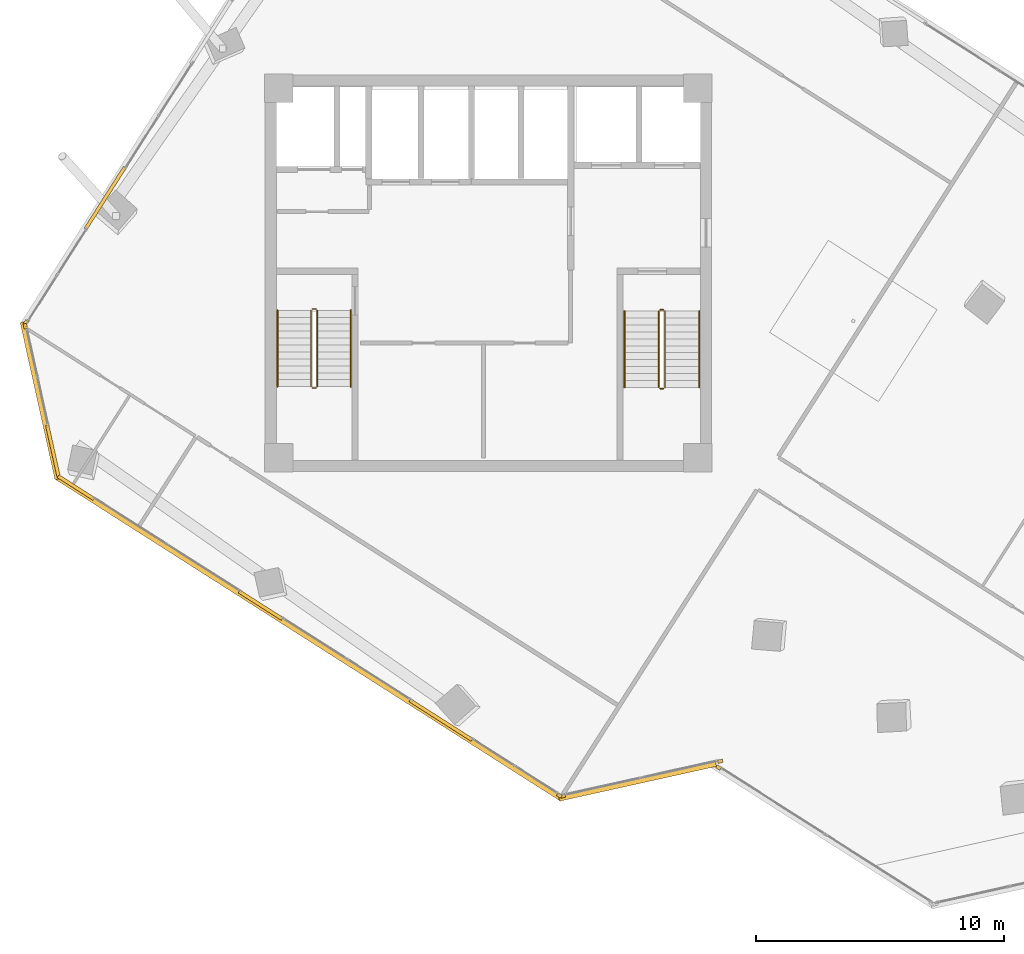
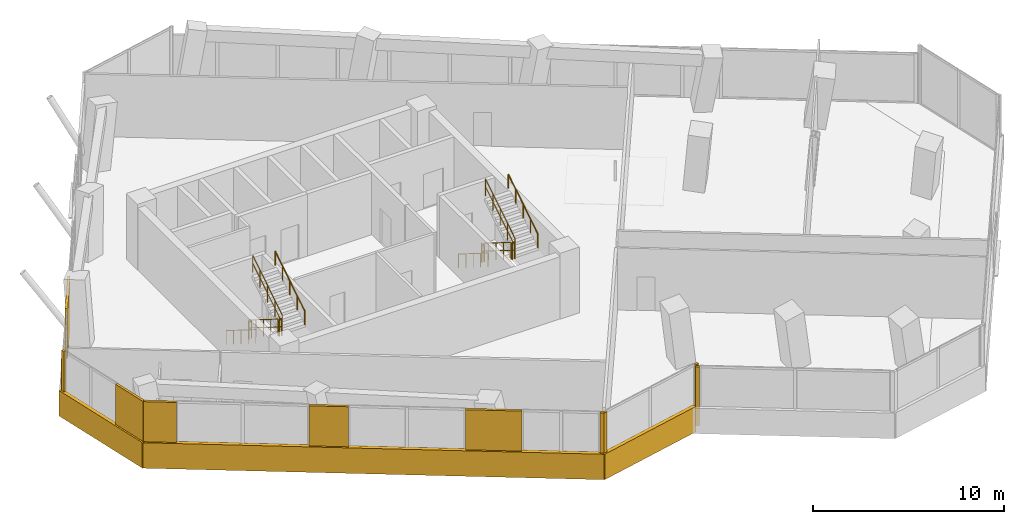
# One storey, part 22 of 24: 14 coverings, 12 railings.
"""IFC4 building model written with IfcOpenShell, lengths in metres."""

from ifc_helpers import new_model, si_unit, direction, frame, origin, origin_2d, place, context, subcontext, project, spatial, rectangle, circle, extrude, source, transform, mapped, material, layer, layer_set, type_object, element, save


model = new_model("IFC4")

# Units and contexts
model_context = context("Model", 3, precision=1e-05, world=origin(), true_north=direction((0.0, 1.0)))
body_context = subcontext(model_context, "Body", "Model", "MODEL_VIEW")
ifc_project = project(units=[si_unit("LENGTHUNIT", "METRE"), si_unit("AREAUNIT", "SQUARE_METRE"), si_unit("VOLUMEUNIT", "CUBIC_METRE"), si_unit("PLANEANGLEUNIT", "RADIAN"), si_unit("MASSUNIT", "GRAM", prefix="KILO")], contexts=[model_context])

# Site, building, storey
site_placement = place(None, origin())
site = spatial("IfcSite", under=ifc_project, at=site_placement, CompositionType="ELEMENT")
building_placement = place(site_placement, origin())
building = spatial("IfcBuilding", under=site, at=building_placement, Name="Torre Montelarca", CompositionType="ELEMENT")
storey_placement = place(building_placement, frame((0.0, 0.0, 191.800048828125)))
storey = spatial("IfcBuildingStorey", under=building, at=storey_placement, Name="L43", CompositionType="ELEMENT", Elevation=191.800048828125)

# Railings
ifc_material_1 = material(Name="Powder-coated steel ASTM A500 Grade C", Category="steel")
railing_type_1 = type_object("IfcRailingType", Name="RL-GUARD-1100", PredefinedType="BALUSTRADE", material=ifc_material_1)
railing_1_placement = place(storey_placement, frame((10.85009765625, 30.5, 0.175048828125)))
element("IfcRailing", 1, at=railing_1_placement, inside=storey, type_object=railing_type_1, Name="L43 ST1 stair guard 1", PredefinedType="BALUSTRADE", context=body_context, shape_type="SweptSolid", body=[
    extrude(circle(Radius=0.02392578125, at=origin_2d()), frame((0.0, 0.0, 1.076171875), z_axis=(0.0, -0.848028513186, 0.529950602248), x_axis=(1.0, 0.0, 0.0)), (0.0, 0.0, 1.0), 3.632080078125),
    extrude(circle(Radius=0.02099609375, at=origin_2d()), frame((0.0, 0.0, 0.572021484375), z_axis=(0.0, -0.848028513186, 0.529950602248), x_axis=(1.0, 0.0, 0.0)), (0.0, 0.0, 1.0), 3.632080078125),
    extrude(circle(Radius=0.02099609375, at=origin_2d()), origin(), (0.0, 0.0, 1.0), 1.052001953125),
    extrude(circle(Radius=0.02099609375, at=origin_2d()), frame((0.0, -0.77001953125, 0.481201171875)), (0.0, 0.0, 1.0), 1.052001953125),
    extrude(circle(Radius=0.02099609375, at=origin_2d()), frame((0.0, -1.5400390625, 0.96240234375)), (0.0, 0.0, 1.0), 1.052001953125),
    extrude(circle(Radius=0.02099609375, at=origin_2d()), frame((0.0, -2.31005859375, 1.443603515625)), (0.0, 0.0, 1.0), 1.052001953125),
    extrude(circle(Radius=0.02099609375, at=origin_2d()), frame((0.0, -3.080078125, 1.9248046875)), (0.0, 0.0, 1.0), 1.052001953125),
])
railing_2_placement = place(storey_placement, frame((10.89990234375, 27.3701171875, 2.099853515625)))
element("IfcRailing", 2, at=railing_2_placement, inside=storey, type_object=railing_type_1, Name="L43 ST1 stair guard 2", PredefinedType="BALUSTRADE", context=body_context, shape_type="SweptSolid", body=[
    extrude(circle(Radius=0.02392578125, at=origin_2d()), frame((0.0, 0.0, 1.076171875), z_axis=(1.0, 0.0, 0.0), x_axis=(0.0, 1.0, 0.0)), (0.0, 0.0, 1.0), 0.150146484375),
    extrude(circle(Radius=0.02099609375, at=origin_2d()), frame((0.0, 0.0, 0.572021484375), z_axis=(1.0, 0.0, 0.0), x_axis=(0.0, 1.0, 0.0)), (0.0, 0.0, 1.0), 0.150146484375),
    extrude(circle(Radius=0.02099609375, at=origin_2d()), origin(), (0.0, 0.0, 1.0), 1.052001953125),
    extrude(circle(Radius=0.02099609375, at=origin_2d()), frame((0.150146484375, 0.0, 0.0)), (0.0, 0.0, 1.0), 1.052001953125),
])
railing_3_placement = place(storey_placement, frame((11.10009765625, 27.419921875, 2.27490234375)))
element("IfcRailing", 3, at=railing_3_placement, inside=storey, type_object=railing_type_1, Name="L43 ST1 stair guard 3", PredefinedType="BALUSTRADE", context=body_context, shape_type="SweptSolid", body=[
    extrude(circle(Radius=0.02392578125, at=origin_2d()), frame((0.0, 0.0, 1.076171875), z_axis=(0.0, 0.847998304005, 0.529998940003), x_axis=(-1.0, 0.0, 0.0)), (0.0, 0.0, 1.0), 3.632080078125),
    extrude(circle(Radius=0.02099609375, at=origin_2d()), frame((0.0, 0.0, 0.572021484375), z_axis=(0.0, 0.847998304005, 0.529998940003), x_axis=(-1.0, 0.0, 0.0)), (0.0, 0.0, 1.0), 3.632080078125),
    extrude(circle(Radius=0.02099609375, at=origin_2d()), origin(), (0.0, 0.0, 1.0), 1.052001953125),
    extrude(circle(Radius=0.02099609375, at=origin_2d()), frame((0.0, 0.77001953125, 0.481201171875)), (0.0, 0.0, 1.0), 1.052001953125),
    extrude(circle(Radius=0.02099609375, at=origin_2d()), frame((0.0, 1.5400390625, 0.96240234375)), (0.0, 0.0, 1.0), 1.052001953125),
    extrude(circle(Radius=0.02099609375, at=origin_2d()), frame((0.0, 2.31005859375, 1.44384765625)), (0.0, 0.0, 1.0), 1.052001953125),
    extrude(circle(Radius=0.02099609375, at=origin_2d()), frame((0.0, 3.080078125, 1.925048828125)), (0.0, 0.0, 1.0), 1.052001953125),
])
railing_4_placement = place(storey_placement, frame((10.89990234375, 30.550048828125, 0.0)))
element("IfcRailing", 4, at=railing_4_placement, inside=storey, type_object=railing_type_1, Name="L43 ST1 stair guard 4", PredefinedType="BALUSTRADE", context=body_context, shape_type="SweptSolid", body=[
    extrude(circle(Radius=0.02392578125, at=origin_2d()), frame((0.0, 0.0, 1.076171875), z_axis=(1.0, 0.0, 0.0), x_axis=(0.0, 1.0, 0.0)), (0.0, 0.0, 1.0), 0.150146484375),
    extrude(circle(Radius=0.02099609375, at=origin_2d()), frame((0.0, 0.0, 0.572021484375), z_axis=(1.0, 0.0, 0.0), x_axis=(0.0, 1.0, 0.0)), (0.0, 0.0, 1.0), 0.150146484375),
    extrude(circle(Radius=0.02099609375, at=origin_2d()), origin(), (0.0, 0.0, 1.0), 1.052001953125),
    extrude(circle(Radius=0.02099609375, at=origin_2d()), frame((0.150146484375, 0.0, 0.0)), (0.0, 0.0, 1.0), 1.052001953125),
])
railing_5_placement = place(storey_placement, frame((24.8701171875, 30.469970703125, 0.175048828125)))
element("IfcRailing", 5, at=railing_5_placement, inside=storey, type_object=railing_type_1, Name="L43 ST2 stair guard 1", PredefinedType="BALUSTRADE", context=body_context, shape_type="SweptSolid", body=[
    extrude(circle(Radius=0.02392578125, at=origin_2d()), frame((0.0, 0.0, 1.076171875), z_axis=(0.0, -0.848028513186, 0.529950602248), x_axis=(1.0, 0.0, 0.0)), (0.0, 0.0, 1.0), 3.632080078125),
    extrude(circle(Radius=0.02099609375, at=origin_2d()), frame((0.0, 0.0, 0.572021484375), z_axis=(0.0, -0.848028513186, 0.529950602248), x_axis=(1.0, 0.0, 0.0)), (0.0, 0.0, 1.0), 3.632080078125),
    extrude(circle(Radius=0.02099609375, at=origin_2d()), origin(), (0.0, 0.0, 1.0), 1.052001953125),
    extrude(circle(Radius=0.02099609375, at=origin_2d()), frame((0.0, -0.77001953125, 0.481201171875)), (0.0, 0.0, 1.0), 1.052001953125),
    extrude(circle(Radius=0.02099609375, at=origin_2d()), frame((0.0, -1.5400390625, 0.96240234375)), (0.0, 0.0, 1.0), 1.052001953125),
    extrude(circle(Radius=0.02099609375, at=origin_2d()), frame((0.0, -2.31005859375, 1.443603515625)), (0.0, 0.0, 1.0), 1.052001953125),
    extrude(circle(Radius=0.02099609375, at=origin_2d()), frame((0.0, -3.080078125, 1.9248046875)), (0.0, 0.0, 1.0), 1.052001953125),
])
railing_6_placement = place(storey_placement, frame((24.919921875, 27.340087890625, 2.099853515625)))
element("IfcRailing", 6, at=railing_6_placement, inside=storey, type_object=railing_type_1, Name="L43 ST2 stair guard 2", PredefinedType="BALUSTRADE", context=body_context, shape_type="SweptSolid", body=[
    extrude(circle(Radius=0.02392578125, at=origin_2d()), frame((0.0, 0.0, 1.076171875), z_axis=(1.0, 0.0, 0.0), x_axis=(0.0, 1.0, 0.0)), (0.0, 0.0, 1.0), 0.150146484375),
    extrude(circle(Radius=0.02099609375, at=origin_2d()), frame((0.0, 0.0, 0.572021484375), z_axis=(1.0, 0.0, 0.0), x_axis=(0.0, 1.0, 0.0)), (0.0, 0.0, 1.0), 0.150146484375),
    extrude(circle(Radius=0.02099609375, at=origin_2d()), origin(), (0.0, 0.0, 1.0), 1.052001953125),
    extrude(circle(Radius=0.02099609375, at=origin_2d()), frame((0.150146484375, 0.0, 0.0)), (0.0, 0.0, 1.0), 1.052001953125),
])
railing_7_placement = place(storey_placement, frame((25.1201171875, 27.389892578125, 2.27490234375)))
element("IfcRailing", 7, at=railing_7_placement, inside=storey, type_object=railing_type_1, Name="L43 ST2 stair guard 3", PredefinedType="BALUSTRADE", context=body_context, shape_type="SweptSolid", body=[
    extrude(circle(Radius=0.02392578125, at=origin_2d()), frame((0.0, 0.0, 1.076171875), z_axis=(0.0, 0.847998304005, 0.529998940003), x_axis=(-1.0, 0.0, 0.0)), (0.0, 0.0, 1.0), 3.632080078125),
    extrude(circle(Radius=0.02099609375, at=origin_2d()), frame((0.0, 0.0, 0.572021484375), z_axis=(0.0, 0.847998304005, 0.529998940003), x_axis=(-1.0, 0.0, 0.0)), (0.0, 0.0, 1.0), 3.632080078125),
    extrude(circle(Radius=0.02099609375, at=origin_2d()), origin(), (0.0, 0.0, 1.0), 1.052001953125),
    extrude(circle(Radius=0.02099609375, at=origin_2d()), frame((0.0, 0.77001953125, 0.481201171875)), (0.0, 0.0, 1.0), 1.052001953125),
    extrude(circle(Radius=0.02099609375, at=origin_2d()), frame((0.0, 1.5400390625, 0.96240234375)), (0.0, 0.0, 1.0), 1.052001953125),
    extrude(circle(Radius=0.02099609375, at=origin_2d()), frame((0.0, 2.31005859375, 1.44384765625)), (0.0, 0.0, 1.0), 1.052001953125),
    extrude(circle(Radius=0.02099609375, at=origin_2d()), frame((0.0, 3.080078125, 1.925048828125)), (0.0, 0.0, 1.0), 1.052001953125),
])
railing_8_placement = place(storey_placement, frame((24.919921875, 30.52001953125, 0.0)))
element("IfcRailing", 8, at=railing_8_placement, inside=storey, type_object=railing_type_1, Name="L43 ST2 stair guard 4", PredefinedType="BALUSTRADE", context=body_context, shape_type="SweptSolid", body=[
    extrude(circle(Radius=0.02392578125, at=origin_2d()), frame((0.0, 0.0, 1.076171875), z_axis=(1.0, 0.0, 0.0), x_axis=(0.0, 1.0, 0.0)), (0.0, 0.0, 1.0), 0.150146484375),
    extrude(circle(Radius=0.02099609375, at=origin_2d()), frame((0.0, 0.0, 0.572021484375), z_axis=(1.0, 0.0, 0.0), x_axis=(0.0, 1.0, 0.0)), (0.0, 0.0, 1.0), 0.150146484375),
    extrude(circle(Radius=0.02099609375, at=origin_2d()), origin(), (0.0, 0.0, 1.0), 1.052001953125),
    extrude(circle(Radius=0.02099609375, at=origin_2d()), frame((0.150146484375, 0.0, 0.0)), (0.0, 0.0, 1.0), 1.052001953125),
])
ifc_material_2 = material(Name="Brushed stainless steel AISI 316", Category="steel")
railing_type_2 = type_object("IfcRailingType", Name="RL-HANDRAIL-900", PredefinedType="HANDRAIL", material=ifc_material_2)
railing_9_placement = place(storey_placement, frame((9.5, 30.5, 0.175048828125)))
element("IfcRailing", 9, at=railing_9_placement, inside=storey, type_object=railing_type_2, Name="L43 ST1 stair handrail 1", PredefinedType="HANDRAIL", context=body_context, shape_type="SweptSolid", body=[
    extrude(circle(Radius=0.02392578125, at=origin_2d()), frame((0.0, 0.0, 0.8759765625), z_axis=(0.0, -0.848028513186, 0.529950602248), x_axis=(1.0, 0.0, 0.0)), (0.0, 0.0, 1.0), 3.632080078125),
    extrude(circle(Radius=0.02099609375, at=origin_2d()), origin(), (0.0, 0.0, 1.0), 0.851806640625),
    extrude(circle(Radius=0.02099609375, at=origin_2d()), frame((0.0, -0.77001953125, 0.481201171875)), (0.0, 0.0, 1.0), 0.851806640625),
    extrude(circle(Radius=0.02099609375, at=origin_2d()), frame((0.0, -1.5400390625, 0.96240234375)), (0.0, 0.0, 1.0), 0.851806640625),
    extrude(circle(Radius=0.02099609375, at=origin_2d()), frame((0.0, -2.31005859375, 1.443603515625)), (0.0, 0.0, 1.0), 0.851806640625),
    extrude(circle(Radius=0.02099609375, at=origin_2d()), frame((0.0, -3.080078125, 1.9248046875)), (0.0, 0.0, 1.0), 0.851806640625),
])
railing_10_placement = place(storey_placement, frame((12.449951171875, 27.419921875, 2.27490234375)))
element("IfcRailing", 10, at=railing_10_placement, inside=storey, type_object=railing_type_2, Name="L43 ST1 stair handrail 2", PredefinedType="HANDRAIL", context=body_context, shape_type="SweptSolid", body=[
    extrude(circle(Radius=0.02392578125, at=origin_2d()), frame((0.0, 0.0, 0.8759765625), z_axis=(0.0, 0.847998304005, 0.529998940003), x_axis=(-1.0, 0.0, 0.0)), (0.0, 0.0, 1.0), 3.632080078125),
    extrude(circle(Radius=0.02099609375, at=origin_2d()), origin(), (0.0, 0.0, 1.0), 0.851806640625),
    extrude(circle(Radius=0.02099609375, at=origin_2d()), frame((0.0, 0.77001953125, 0.481201171875)), (0.0, 0.0, 1.0), 0.851806640625),
    extrude(circle(Radius=0.02099609375, at=origin_2d()), frame((0.0, 1.5400390625, 0.96240234375)), (0.0, 0.0, 1.0), 0.851806640625),
    extrude(circle(Radius=0.02099609375, at=origin_2d()), frame((0.0, 2.31005859375, 1.44384765625)), (0.0, 0.0, 1.0), 0.851806640625),
    extrude(circle(Radius=0.02099609375, at=origin_2d()), frame((0.0, 3.080078125, 1.925048828125)), (0.0, 0.0, 1.0), 0.851806640625),
])
railing_11_placement = place(storey_placement, frame((23.489990234375, 30.469970703125, 0.175048828125)))
element("IfcRailing", 11, at=railing_11_placement, inside=storey, type_object=railing_type_2, Name="L43 ST2 stair handrail 1", PredefinedType="HANDRAIL", context=body_context, shape_type="SweptSolid", body=[
    extrude(circle(Radius=0.02392578125, at=origin_2d()), frame((0.0, 0.0, 0.8759765625), z_axis=(0.0, -0.848028513186, 0.529950602248), x_axis=(1.0, 0.0, 0.0)), (0.0, 0.0, 1.0), 3.632080078125),
    extrude(circle(Radius=0.02099609375, at=origin_2d()), origin(), (0.0, 0.0, 1.0), 0.851806640625),
    extrude(circle(Radius=0.02099609375, at=origin_2d()), frame((0.0, -0.77001953125, 0.481201171875)), (0.0, 0.0, 1.0), 0.851806640625),
    extrude(circle(Radius=0.02099609375, at=origin_2d()), frame((0.0, -1.5400390625, 0.96240234375)), (0.0, 0.0, 1.0), 0.851806640625),
    extrude(circle(Radius=0.02099609375, at=origin_2d()), frame((0.0, -2.31005859375, 1.443603515625)), (0.0, 0.0, 1.0), 0.851806640625),
    extrude(circle(Radius=0.02099609375, at=origin_2d()), frame((0.0, -3.080078125, 1.9248046875)), (0.0, 0.0, 1.0), 0.851806640625),
])
railing_12_placement = place(storey_placement, frame((26.5, 27.389892578125, 2.27490234375)))
element("IfcRailing", 12, at=railing_12_placement, inside=storey, type_object=railing_type_2, Name="L43 ST2 stair handrail 2", PredefinedType="HANDRAIL", context=body_context, shape_type="SweptSolid", body=[
    extrude(circle(Radius=0.02392578125, at=origin_2d()), frame((0.0, 0.0, 0.8759765625), z_axis=(0.0, 0.847998304005, 0.529998940003), x_axis=(-1.0, 0.0, 0.0)), (0.0, 0.0, 1.0), 3.632080078125),
    extrude(circle(Radius=0.02099609375, at=origin_2d()), origin(), (0.0, 0.0, 1.0), 0.851806640625),
    extrude(circle(Radius=0.02099609375, at=origin_2d()), frame((0.0, 0.77001953125, 0.481201171875)), (0.0, 0.0, 1.0), 0.851806640625),
    extrude(circle(Radius=0.02099609375, at=origin_2d()), frame((0.0, 1.5400390625, 0.96240234375)), (0.0, 0.0, 1.0), 0.851806640625),
    extrude(circle(Radius=0.02099609375, at=origin_2d()), frame((0.0, 2.31005859375, 1.44384765625)), (0.0, 0.0, 1.0), 0.851806640625),
    extrude(circle(Radius=0.02099609375, at=origin_2d()), frame((0.0, 3.080078125, 1.925048828125)), (0.0, 0.0, 1.0), 0.851806640625),
])

# Coverings
ifc_material_3 = material(Name="Bush-hammered warm white precast concrete C45/55", Category="concrete")
ifc_layer = layer(ifc_material_3, 0.139892578125, Name="Bush-hammered warm white precast concrete C45/55", Category="concrete")
ifc_layer_set = layer_set([ifc_layer], Name="Bush-hammered warm white precast concrete C45/55")
covering_type = type_object("IfcCoveringType", Name="COV-TRAY-CLAD", PredefinedType="CLADDING", material=ifc_layer_set)
shared_shape_1 = source(origin(), body_context, "Body", "SweptSolid", [
    extrude(rectangle(XDim=24.219970703125, YDim=0.219970703125, at=origin_2d()), origin(), (0.0, 0.0, 1.0), 1.6201171875),
])
covering_1_placement = place(storey_placement, frame((10.767333984375, 17.29345703125, -0.4501953125), z_axis=(0.0, 0.0, 1.0), x_axis=(0.843391445813, -0.537299608347, 0.0)))
element("IfcCovering", 13, at=covering_1_placement, inside=storey, type_object=covering_type, Name="L43 Architectural White Spandrel Tray Band TRYBOT-01", PredefinedType="CLADDING", context=body_context, shape_type="MappedRepresentation", body=[
    mapped(shared_shape_1, transform((0.0, 0.0, 0.0), scale=1.0)),
])
shared_shape_2 = source(origin(), body_context, "Body", "SweptSolid", [
    extrude(rectangle(XDim=6.48388671875, YDim=0.219970703125, at=origin_2d()), origin(), (0.0, 0.0, 1.0), 1.6201171875),
])
for number, where, z_axis, x_axis, name in (
    (14, (24.01416015625, 11.51171875, -0.4501953125), (0.0, 0.0, 1.0), (0.976296384877, 0.21643790998, 0.0), "L43 Architectural White Spandrel Tray Band TRYBOT-02"),
    (15, (-0.071044921875, 26.855712890625, -0.4501953125), (0.0, 0.0, 1.0), (0.21643790998, -0.976296384877, 0.0), "L43 Architectural White Spandrel Tray Band TRYBOT-11"),
):
    element("IfcCovering", number, at=place(storey_placement, frame(where, z_axis=z_axis, x_axis=x_axis)), inside=storey, type_object=covering_type, Name=name, PredefinedType="CLADDING", context=body_context, shape_type="MappedRepresentation", body=[
        mapped(shared_shape_2, transform((0.0, 0.0, 0.0), scale=1.0)),
    ])
shared_shape_3 = source(origin(), body_context, "Body", "SweptSolid", [
    extrude(rectangle(XDim=0.199951171875, YDim=0.139892578125, at=origin_2d()), origin(), (0.0, 0.0, 1.0), 3.719970703125),
])
for number, where, z_axis, x_axis, name in (
    (16, (20.86474609375, 10.931884765625, 0.0), (0.0, 0.0, 1.0), (0.843389570278, -0.537302552335, 0.0), "L43 Architectural Column Pier Cladding E01-4"),
    (17, (21.0078125, 10.90673828125, 0.0), (0.0, 0.0, 1.0), (0.976299406825, 0.21642427829, 0.0), "L43 Architectural Column Pier Cladding E02-1"),
    (18, (27.353515625, 12.3134765625, 0.0), (0.0, 0.0, 1.0), (0.976299406825, 0.21642427829, 0.0), "L43 Architectural Column Pier Cladding E02-2"),
    (19, (27.28369140625, 12.0595703125, 0.0), (0.0, 0.0, 1.0), (0.843384881397, -0.537309912277, 0.0), "L43 Architectural Column Pier Cladding E04-1"),
    (20, (-0.676025390625, 29.862060546875, 0.0), (0.0, 0.0, 1.0), (0.216436206021, -0.976296762631, 0.0), "L43 Architectural Column Pier Cladding E11-1"),
):
    element("IfcCovering", number, at=place(storey_placement, frame(where, z_axis=z_axis, x_axis=x_axis)), inside=storey, type_object=covering_type, Name=name, PredefinedType="CLADDING", context=body_context, shape_type="MappedRepresentation", body=[
        mapped(shared_shape_3, transform((0.0, 0.0, 0.0), scale=1.0)),
    ])
shared_shape_4 = source(origin(), body_context, "Body", "SweptSolid", [
    extrude(rectangle(XDim=0.199951171875, YDim=0.139892578125, at=origin_2d()), origin(), (0.0, 0.0, 1.0), 3.175048828125),
])
covering_2_placement = place(storey_placement, frame((-0.65087890625, 30.005126953125, 0.0), z_axis=(0.0, 0.0, 1.0), x_axis=(-0.537301080342, -0.843390508047, 0.0)))
element("IfcCovering", 21, at=covering_2_placement, inside=storey, type_object=covering_type, Name="L43 Architectural Column Pier Cladding E10-5", PredefinedType="CLADDING", context=body_context, shape_type="MappedRepresentation", body=[
    mapped(shared_shape_4, transform((0.0, 0.0, 0.0), scale=1.0)),
])
shared_shape_5 = source(origin(), body_context, "Body", "SweptSolid", [
    extrude(rectangle(XDim=1.714111328125, YDim=0.139892578125, at=origin_2d()), origin(), (0.0, 0.0, 1.0), 3.719970703125),
])
covering_3_placement = place(storey_placement, frame((1.373046875, 23.349609375, 0.0), z_axis=(0.0, 0.0, 1.0), x_axis=(0.843389570278, -0.537302552335, 0.0)))
element("IfcCovering", 22, at=covering_3_placement, inside=storey, type_object=covering_type, Name="L43 Architectural Column Pier Cladding E01-1", PredefinedType="CLADDING", context=body_context, shape_type="MappedRepresentation", body=[
    mapped(shared_shape_5, transform((0.0, 0.0, 0.0), scale=1.0)),
])
shared_shape_6 = source(origin(), body_context, "Body", "SweptSolid", [
    extrude(rectangle(XDim=2.06005859375, YDim=0.139892578125, at=origin_2d()), origin(), (0.0, 0.0, 1.0), 3.719970703125),
])
covering_4_placement = place(storey_placement, frame((8.817626953125, 18.606689453125, 0.0), z_axis=(0.0, 0.0, 1.0), x_axis=(0.843389570278, -0.537302552335, 0.0)))
element("IfcCovering", 23, at=covering_4_placement, inside=storey, type_object=covering_type, Name="L43 Architectural Column Pier Cladding E01-2", PredefinedType="CLADDING", context=body_context, shape_type="MappedRepresentation", body=[
    mapped(shared_shape_6, transform((0.0, 0.0, 0.0), scale=1.0)),
])
shared_shape_7 = source(origin(), body_context, "Body", "SweptSolid", [
    extrude(rectangle(XDim=2.1455078125, YDim=0.139892578125, at=origin_2d()), origin(), (0.0, 0.0, 1.0), 3.719970703125),
])
covering_5_placement = place(storey_placement, frame((0.440673828125, 24.824951171875, 0.0), z_axis=(0.0, 0.0, 1.0), x_axis=(0.216436206021, -0.976296762631, 0.0)))
element("IfcCovering", 24, at=covering_5_placement, inside=storey, type_object=covering_type, Name="L43 Architectural Column Pier Cladding E11-2", PredefinedType="CLADDING", context=body_context, shape_type="MappedRepresentation", body=[
    mapped(shared_shape_7, transform((0.0, 0.0, 0.0), scale=1.0)),
])
shared_shape_8 = source(origin(), body_context, "Body", "SweptSolid", [
    extrude(rectangle(XDim=2.965576171875, YDim=0.139892578125, at=origin_2d()), origin(), (0.0, 0.0, 1.0), 3.719970703125),
])
covering_6_placement = place(storey_placement, frame((16.089599609375, 13.97412109375, 0.0), z_axis=(0.0, 0.0, 1.0), x_axis=(0.843389570278, -0.537302552335, 0.0)))
element("IfcCovering", 25, at=covering_6_placement, inside=storey, type_object=covering_type, Name="L43 Architectural Column Pier Cladding E01-3", PredefinedType="CLADDING", context=body_context, shape_type="MappedRepresentation", body=[
    mapped(shared_shape_8, transform((0.0, 0.0, 0.0), scale=1.0)),
])
shared_shape_9 = source(origin(), body_context, "Body", "SweptSolid", [
    extrude(rectangle(XDim=2.952392578125, YDim=0.139892578125, at=origin_2d()), origin(), (0.0, 0.0, 1.0), 3.175048828125),
])
covering_7_placement = place(storey_placement, frame((2.549072265625, 35.02783203125, 0.0), z_axis=(0.0, 0.0, 1.0), x_axis=(-0.537301080342, -0.843390508047, 0.0)))
element("IfcCovering", 26, at=covering_7_placement, inside=storey, type_object=covering_type, Name="L43 Architectural Column Pier Cladding E10-4", PredefinedType="CLADDING", context=body_context, shape_type="MappedRepresentation", body=[
    mapped(shared_shape_9, transform((0.0, 0.0, 0.0), scale=1.0)),
])

save(model, "model.ifc")
